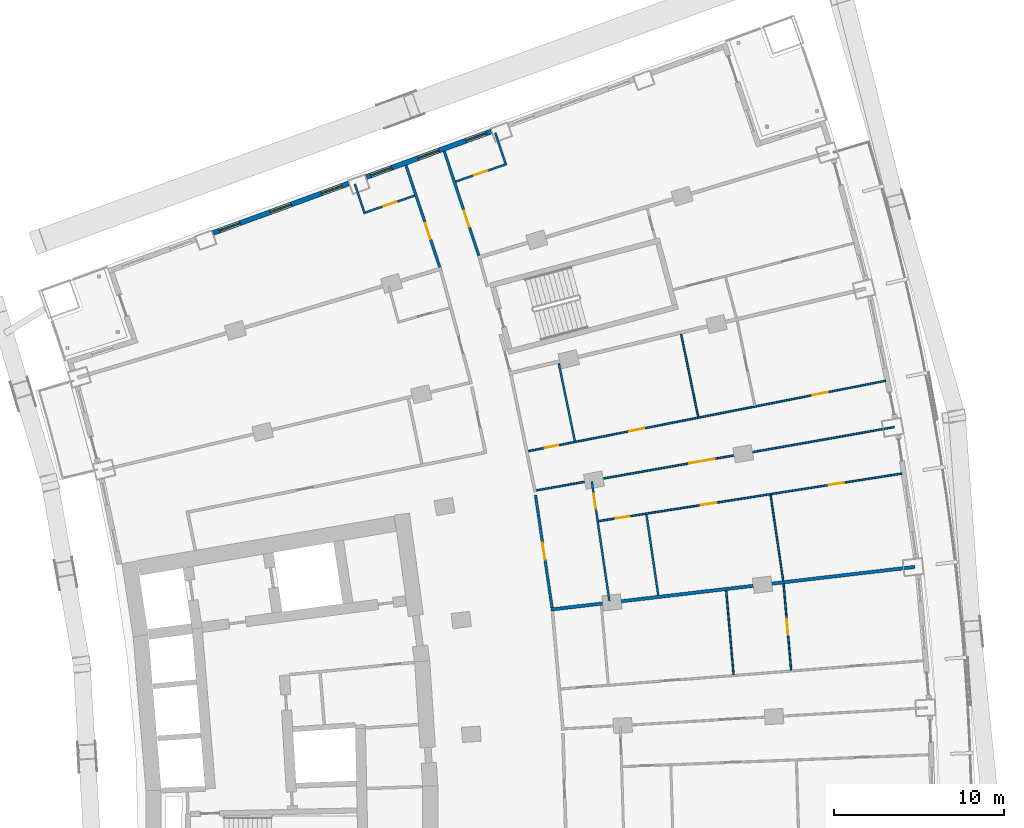
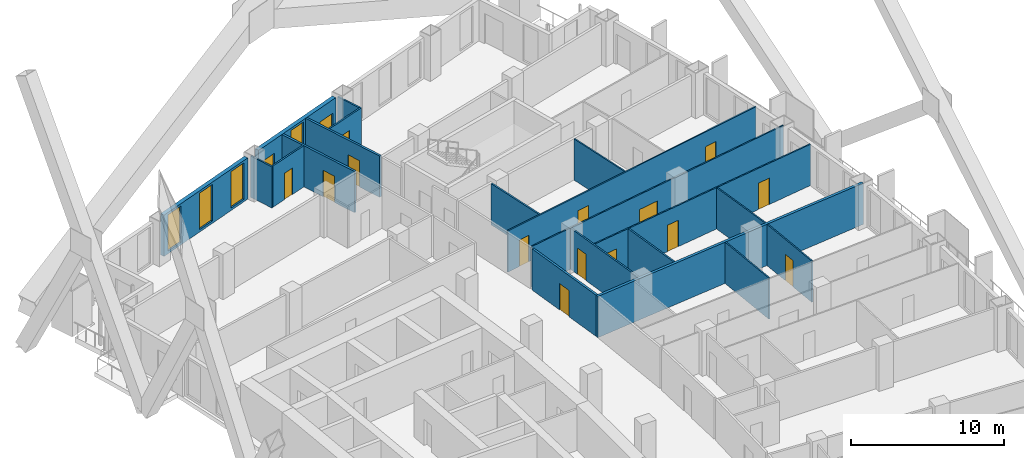
# One storey, part 18 of 23: 20 walls, 14 doors, 6 windows, 20 openings.
"""IFC4 building model written with IfcOpenShell, lengths in metres."""

from ifc_helpers import new_model, si_unit, direction, frame, frame_2d, origin, place, context, subcontext, project, spatial, rectangle, extrude, material, layer, layer_set, type_object, element, fill, save


model = new_model("IFC4")

# Units and contexts
model_context = context("Model", 3, precision=1e-05, world=origin(), true_north=direction((0.0, 1.0)))
body_context = subcontext(model_context, "Body", "Model", "MODEL_VIEW")
ifc_project = project(units=[si_unit("LENGTHUNIT", "METRE"), si_unit("AREAUNIT", "SQUARE_METRE"), si_unit("VOLUMEUNIT", "CUBIC_METRE"), si_unit("PLANEANGLEUNIT", "RADIAN"), si_unit("MASSUNIT", "GRAM", prefix="KILO")], contexts=[model_context])

# Site, building, storey
site_placement = place(None, origin())
site = spatial("IfcSite", under=ifc_project, at=site_placement, CompositionType="ELEMENT")
building_placement = place(site_placement, origin())
building = spatial("IfcBuilding", under=site, at=building_placement, Name="Alderwake Tower", CompositionType="ELEMENT")
storey_placement = place(building_placement, frame((0.0, 0.0, 53.60009765625)))
storey = spatial("IfcBuildingStorey", under=building, at=storey_placement, Name="L12", CompositionType="ELEMENT", Elevation=53.60009765625)

# Wall, opening, door
ifc_material_1 = material(Name="Gypsum board on metal studs, rated")
ifc_layer_1 = layer(ifc_material_1, 0.159912109375)
ifc_layer_set_1 = layer_set([ifc_layer_1], Name="Corridor wall 160")
wall_type_1 = type_object("IfcWallType", Name="Corridor wall 160", PredefinedType="PARTITIONING", material=ifc_layer_set_1)
wall_1_placement = place(storey_placement, frame((33.75146484375, 95.2548828125, 0.0), z_axis=(0.0, 0.0, 1.0), x_axis=(-0.315406156735, 0.948956772616, 0.0)))
wall_1 = element("IfcWall", 1, at=wall_1_placement, inside=storey, type_object=wall_type_1, Name="WL/L12/W17", PredefinedType="PARTITIONING", context=body_context, shape_type="SweptSolid", body=[
    extrude(rectangle(XDim=6.330078125, YDim=0.159912109375, at=frame_2d((3.1650390625, 0.0))), origin(), (0.0, 0.0, 1.0), 3.27978515625),
])
opening_1_placement = place(wall_1_placement, frame((1.737060546875, 0.0, 0.0)))
opening_1 = element("IfcOpeningElement", 2, at=opening_1_placement, cuts=wall_1, Name="Opening R03-U12.1", PredefinedType="OPENING", context=body_context, shape_type="SweptSolid", body=[
    extrude(rectangle(XDim=1.0, YDim=2.10009765625, at=frame_2d((0.5, 1.050048828125))), frame((0.0, 0.08984375, 0.0), z_axis=(0.0, -1.0, 0.0), x_axis=(1.0, 0.0, 0.0)), (0.0, 0.0, 1.0), 0.179931640625),
])
ifc_material_2 = material(Name="Solid timber leaf in steel frame", Category="steel")
door_type_1 = type_object("IfcDoorType", Name="Flat entrance door 1000 fire-rated", OperationType="SINGLE_SWING_LEFT", PredefinedType="DOOR", material=ifc_material_2)
door_1_placement = place(opening_1_placement, origin())
door_1 = element("IfcDoor", 3, at=door_1_placement, inside=storey, type_object=door_type_1, Name="DR/L12/U12.1", OperationType="SINGLE_SWING_LEFT", OverallHeight=2.10009765625, OverallWidth=1.0, PredefinedType="DOOR", context=body_context, shape_type="SweptSolid", body=[
    extrude(rectangle(XDim=1.0, YDim=2.10009765625, at=frame_2d((0.5, 1.050048828125))), frame((0.0, 0.02490234375, 0.0), z_axis=(0.0, -1.0, 0.0), x_axis=(1.0, 0.0, 0.0)), (0.0, 0.0, 1.0), 0.050048828125),
])
fill(opening_1, door_1)

wall_2_placement = place(storey_placement, frame((34.010986328125, 102.083984375, 0.0), z_axis=(0.0, 0.0, 1.0), x_axis=(0.315140606423, -0.949044992708, 0.0)))
wall_2 = element("IfcWall", 4, at=wall_2_placement, inside=storey, type_object=wall_type_1, Name="WL/L12/W25", PredefinedType="PARTITIONING", context=body_context, shape_type="SweptSolid", body=[
    extrude(rectangle(XDim=6.46875, YDim=0.159912109375, at=frame_2d((3.234375, 0.0))), origin(), (0.0, 0.0, 1.0), 3.27978515625),
])
opening_2_placement = place(wall_2_placement, frame((3.685546875, 0.0, 0.0)))
opening_2 = element("IfcOpeningElement", 5, at=opening_2_placement, cuts=wall_2, Name="Opening R03-U04.1", PredefinedType="OPENING", context=body_context, shape_type="SweptSolid", body=[
    extrude(rectangle(XDim=1.0, YDim=2.10009765625, at=frame_2d((0.5, 1.050048828125))), frame((0.0, 0.08984375, 0.0), z_axis=(0.0, -1.0, 0.0), x_axis=(1.0, 0.0, 0.0)), (0.0, 0.0, 1.0), 0.179931640625),
])
door_2_placement = place(opening_2_placement, origin())
door_2 = element("IfcDoor", 6, at=door_2_placement, inside=storey, type_object=door_type_1, Name="DR/L12/U04.1", OperationType="SINGLE_SWING_LEFT", OverallHeight=2.10009765625, OverallWidth=1.0, PredefinedType="DOOR", context=body_context, shape_type="SweptSolid", body=[
    extrude(rectangle(XDim=1.0, YDim=2.10009765625, at=frame_2d((0.5, 1.050048828125))), frame((0.0, 0.02490234375, 0.0), z_axis=(0.0, -1.0, 0.0), x_axis=(1.0, 0.0, 0.0)), (0.0, 0.0, 1.0), 0.050048828125),
])
fill(opening_2, door_2)

wall_3_placement = place(storey_placement, frame((39.38671875, 81.837158203125, 0.0), z_axis=(0.0, 0.0, 1.0), x_axis=(0.145576845789, -0.989346947218, 0.0)))
wall_3 = element("IfcWall", 7, at=wall_3_placement, inside=storey, type_object=wall_type_1, Name="WL/L12/W35", PredefinedType="PARTITIONING", context=body_context, shape_type="SweptSolid", body=[
    extrude(rectangle(XDim=6.701416015625, YDim=0.159912109375, at=frame_2d((3.3505859375, 0.0))), origin(), (0.0, 0.0, 1.0), 3.27978515625),
])
opening_3_placement = place(wall_3_placement, frame((2.850830078125, 0.0, 0.0)))
opening_3 = element("IfcOpeningElement", 8, at=opening_3_placement, cuts=wall_3, Name="Opening R03-U08.2", PredefinedType="OPENING", context=body_context, shape_type="SweptSolid", body=[
    extrude(rectangle(XDim=1.0, YDim=2.10009765625, at=frame_2d((0.5, 1.050048828125))), frame((0.0, 0.08984375, 0.0), z_axis=(0.0, -1.0, 0.0), x_axis=(1.0, 0.0, 0.0)), (0.0, 0.0, 1.0), 0.179931640625),
])
door_3_placement = place(opening_3_placement, origin())
door_3 = element("IfcDoor", 9, at=door_3_placement, inside=storey, type_object=door_type_1, Name="DR/L12/U08.2", OperationType="SINGLE_SWING_LEFT", OverallHeight=2.10009765625, OverallWidth=1.0, PredefinedType="DOOR", context=body_context, shape_type="SweptSolid", body=[
    extrude(rectangle(XDim=1.0, YDim=2.10009765625, at=frame_2d((0.5, 1.050048828125))), frame((0.0, 0.02490234375, 0.0), z_axis=(0.0, -1.0, 0.0), x_axis=(1.0, 0.0, 0.0)), (0.0, 0.0, 1.0), 0.050048828125),
])
fill(opening_3, door_3)

# Wall, openings, windows
ifc_material_3 = material(Name="Bronze metal cladding on lightweight framing")
ifc_layer_2 = layer(ifc_material_3, 0.300048828125)
ifc_layer_set_2 = layer_set([ifc_layer_2], Name="External wall EW2 bronze metal cladding")
wall_type_2 = type_object("IfcWallType", Name="External wall EW2 bronze metal cladding", PredefinedType="SOLIDWALL", material=ifc_layer_set_2)
wall_4_placement = place(storey_placement, frame((36.77099609375, 103.252197265625, 0.0), z_axis=(0.0, 0.0, 1.0), x_axis=(-0.939370235271, -0.34290459473, 0.0)))
wall_4 = element("IfcWall", 10, at=wall_4_placement, inside=storey, type_object=wall_type_2, Name="External wall 27", PredefinedType="SOLIDWALL", context=body_context, shape_type="SweptSolid", body=[
    extrude(rectangle(XDim=7.828857421875, YDim=0.300048828125, at=frame_2d((3.91455078125, 0.0))), origin(), (0.0, 0.0, 1.0), 3.27978515625),
])
opening_4_placement = place(wall_4_placement, frame((0.28662109375, 0.0, 1.0)))
opening_4 = element("IfcOpeningElement", 11, at=opening_4_placement, cuts=wall_4, Name="Opening W2", PredefinedType="OPENING", context=body_context, shape_type="SweptSolid", body=[
    extrude(rectangle(XDim=1.300048828125, YDim=1.199951171875, at=frame_2d((0.64990234375, 0.60009765625))), frame((0.0, 0.159912109375, 0.0), z_axis=(0.0, -1.0, 0.0), x_axis=(1.0, 0.0, 0.0)), (0.0, 0.0, 1.0), 0.320068359375),
])
opening_5_placement = place(wall_4_placement, frame((3.2646484375, 0.0, 0.199951171875)))
opening_5 = element("IfcOpeningElement", 12, at=opening_5_placement, cuts=wall_4, Name="Opening W1", PredefinedType="OPENING", context=body_context, shape_type="SweptSolid", body=[
    extrude(rectangle(XDim=1.300048828125, YDim=2.89990234375, at=frame_2d((0.64990234375, 1.449951171875))), frame((0.0, 0.159912109375, 0.0), z_axis=(0.0, -1.0, 0.0), x_axis=(1.0, 0.0, 0.0)), (0.0, 0.0, 1.0), 0.320068359375),
])
opening_6_placement = place(wall_4_placement, frame((6.242431640625, 0.0, 1.0)))
opening_6 = element("IfcOpeningElement", 13, at=opening_6_placement, cuts=wall_4, Name="Opening W2", PredefinedType="OPENING", context=body_context, shape_type="SweptSolid", body=[
    extrude(rectangle(XDim=1.300048828125, YDim=1.199951171875, at=frame_2d((0.64990234375, 0.60009765625))), frame((0.0, 0.159912109375, 0.0), z_axis=(0.0, -1.0, 0.0), x_axis=(1.0, 0.0, 0.0)), (0.0, 0.0, 1.0), 0.320068359375),
])
ifc_material_4 = material(Name="Bronze tinted glass in aluminium frame", Category="aluminium")
window_type_1 = type_object("IfcWindowType", Name="Window W1 tall fixed and vent", PartitioningType="DOUBLE_PANEL_VERTICAL", PredefinedType="WINDOW", material=ifc_material_4)
window_1_placement = place(opening_5_placement, origin())
window_1 = element("IfcWindow", 14, at=window_1_placement, inside=storey, type_object=window_type_1, Name="Window W1 tall fixed and vent", OverallHeight=2.89990234375, OverallWidth=1.300048828125, PartitioningType="DOUBLE_PANEL_VERTICAL", PredefinedType="WINDOW", context=body_context, shape_type="SweptSolid", body=[
    extrude(rectangle(XDim=1.300048828125, YDim=2.89990234375, at=frame_2d((0.64990234375, 1.449951171875))), frame((0.0, 0.030029296875, 0.0), z_axis=(0.0, -1.0, 0.0), x_axis=(1.0, 0.0, 0.0)), (0.0, 0.0, 1.0), 0.06005859375),
])
fill(opening_5, window_1)
ifc_material_5 = material(Name="Bronze tinted glass in aluminium frame", Category="aluminium")
window_type_2 = type_object("IfcWindowType", Name="Window W2 kitchen and bath", PartitioningType="SINGLE_PANEL", PredefinedType="WINDOW", material=ifc_material_5)
window_2_placement = place(opening_4_placement, origin())
window_2 = element("IfcWindow", 15, at=window_2_placement, inside=storey, type_object=window_type_2, Name="Window W2 kitchen and bath", OverallHeight=1.199951171875, OverallWidth=1.300048828125, PartitioningType="SINGLE_PANEL", PredefinedType="WINDOW", context=body_context, shape_type="SweptSolid", body=[
    extrude(rectangle(XDim=1.300048828125, YDim=1.199951171875, at=frame_2d((0.64990234375, 0.60009765625))), frame((0.0, 0.030029296875, 0.0), z_axis=(0.0, -1.0, 0.0), x_axis=(1.0, 0.0, 0.0)), (0.0, 0.0, 1.0), 0.06005859375),
])
fill(opening_4, window_2)
window_3_placement = place(opening_6_placement, origin())
window_3 = element("IfcWindow", 16, at=window_3_placement, inside=storey, type_object=window_type_2, Name="Window W2 kitchen and bath", OverallHeight=1.199951171875, OverallWidth=1.300048828125, PartitioningType="SINGLE_PANEL", PredefinedType="WINDOW", context=body_context, shape_type="SweptSolid", body=[
    extrude(rectangle(XDim=1.300048828125, YDim=1.199951171875, at=frame_2d((0.64990234375, 0.60009765625))), frame((0.0, 0.030029296875, 0.0), z_axis=(0.0, -1.0, 0.0), x_axis=(1.0, 0.0, 0.0)), (0.0, 0.0, 1.0), 0.06005859375),
])
fill(opening_6, window_3)

wall_5_placement = place(storey_placement, frame((28.37890625, 100.188720703125, 0.0), z_axis=(0.0, 0.0, 1.0), x_axis=(-0.939379066762, -0.342880400328, 0.0)))
wall_5 = element("IfcWall", 17, at=wall_5_placement, inside=storey, type_object=wall_type_2, Name="External wall 28", PredefinedType="SOLIDWALL", context=body_context, shape_type="SweptSolid", body=[
    extrude(rectangle(XDim=8.4951171875, YDim=0.300048828125, at=frame_2d((4.24755859375, 0.0))), origin(), (0.0, 0.0, 1.0), 3.27978515625),
])
opening_7_placement = place(wall_5_placement, frame((0.397705078125, 0.0, 0.199951171875)))
opening_7 = element("IfcOpeningElement", 18, at=opening_7_placement, cuts=wall_5, Name="Opening W1", PredefinedType="OPENING", context=body_context, shape_type="SweptSolid", body=[
    extrude(rectangle(XDim=1.300048828125, YDim=2.89990234375, at=frame_2d((0.64990234375, 1.449951171875))), frame((0.0, 0.159912109375, 0.0), z_axis=(0.0, -1.0, 0.0), x_axis=(1.0, 0.0, 0.0)), (0.0, 0.0, 1.0), 0.320068359375),
])
opening_8_placement = place(wall_5_placement, frame((3.59765625, 0.0, 0.199951171875)))
opening_8 = element("IfcOpeningElement", 19, at=opening_8_placement, cuts=wall_5, Name="Opening W1", PredefinedType="OPENING", context=body_context, shape_type="SweptSolid", body=[
    extrude(rectangle(XDim=1.300048828125, YDim=2.89990234375, at=frame_2d((0.64990234375, 1.449951171875))), frame((0.0, 0.159912109375, 0.0), z_axis=(0.0, -1.0, 0.0), x_axis=(1.0, 0.0, 0.0)), (0.0, 0.0, 1.0), 0.320068359375),
])
opening_9_placement = place(wall_5_placement, frame((6.7978515625, 0.0, 0.199951171875)))
opening_9 = element("IfcOpeningElement", 20, at=opening_9_placement, cuts=wall_5, Name="Opening W1", PredefinedType="OPENING", context=body_context, shape_type="SweptSolid", body=[
    extrude(rectangle(XDim=1.300048828125, YDim=2.89990234375, at=frame_2d((0.64990234375, 1.449951171875))), frame((0.0, 0.159912109375, 0.0), z_axis=(0.0, -1.0, 0.0), x_axis=(1.0, 0.0, 0.0)), (0.0, 0.0, 1.0), 0.320068359375),
])
window_4_placement = place(opening_7_placement, origin())
window_4 = element("IfcWindow", 21, at=window_4_placement, inside=storey, type_object=window_type_1, Name="Window W1 tall fixed and vent", OverallHeight=2.89990234375, OverallWidth=1.300048828125, PartitioningType="DOUBLE_PANEL_VERTICAL", PredefinedType="WINDOW", context=body_context, shape_type="SweptSolid", body=[
    extrude(rectangle(XDim=1.300048828125, YDim=2.89990234375, at=frame_2d((0.64990234375, 1.449951171875))), frame((0.0, 0.030029296875, 0.0), z_axis=(0.0, -1.0, 0.0), x_axis=(1.0, 0.0, 0.0)), (0.0, 0.0, 1.0), 0.06005859375),
])
fill(opening_7, window_4)
window_5_placement = place(opening_8_placement, origin())
window_5 = element("IfcWindow", 22, at=window_5_placement, inside=storey, type_object=window_type_1, Name="Window W1 tall fixed and vent", OverallHeight=2.89990234375, OverallWidth=1.300048828125, PartitioningType="DOUBLE_PANEL_VERTICAL", PredefinedType="WINDOW", context=body_context, shape_type="SweptSolid", body=[
    extrude(rectangle(XDim=1.300048828125, YDim=2.89990234375, at=frame_2d((0.64990234375, 1.449951171875))), frame((0.0, 0.030029296875, 0.0), z_axis=(0.0, -1.0, 0.0), x_axis=(1.0, 0.0, 0.0)), (0.0, 0.0, 1.0), 0.06005859375),
])
fill(opening_8, window_5)
window_6_placement = place(opening_9_placement, origin())
window_6 = element("IfcWindow", 23, at=window_6_placement, inside=storey, type_object=window_type_1, Name="Window W1 tall fixed and vent", OverallHeight=2.89990234375, OverallWidth=1.300048828125, PartitioningType="DOUBLE_PANEL_VERTICAL", PredefinedType="WINDOW", context=body_context, shape_type="SweptSolid", body=[
    extrude(rectangle(XDim=1.300048828125, YDim=2.89990234375, at=frame_2d((0.64990234375, 1.449951171875))), frame((0.0, 0.030029296875, 0.0), z_axis=(0.0, -1.0, 0.0), x_axis=(1.0, 0.0, 0.0)), (0.0, 0.0, 1.0), 0.06005859375),
])
fill(opening_9, window_6)

# Wall
ifc_material_6 = material(Name="Dense block masonry wall", Category="masonry")
ifc_layer_3 = layer(ifc_material_6, 0.199951171875)
ifc_layer_set_3 = layer_set([ifc_layer_3], Name="Party wall 200")
wall_type_3 = type_object("IfcWallType", Name="Party wall 200", PredefinedType="SOLIDWALL", material=ifc_layer_set_3)
wall_6_placement = place(storey_placement, frame((40.297607421875, 75.0986328125, 0.0), z_axis=(0.0, 0.0, 1.0), x_axis=(0.993204785453, 0.116379784123, 0.0)))
element("IfcWall", 24, at=wall_6_placement, inside=storey, type_object=wall_type_3, Name="WL/L12/W07", PredefinedType="SOLIDWALL", context=body_context, shape_type="SweptSolid", body=[
    extrude(rectangle(XDim=21.580078125, YDim=0.199951171875, at=frame_2d((10.7900390625, 0.0))), origin(), (0.0, 0.0, 1.0), 3.27978515625),
])

# Wall, openings, doors
ifc_material_7 = material(Name="Gypsum board on metal studs")
ifc_layer_4 = layer(ifc_material_7, 0.10009765625)
ifc_layer_set_4 = layer_set([ifc_layer_4], Name="Unit partition 100")
wall_type_4 = type_object("IfcWallType", Name="Unit partition 100", PredefinedType="PARTITIONING", material=ifc_layer_set_4)
wall_7_placement = place(storey_placement, frame((38.949462890625, 84.423583984375, 0.0), z_axis=(0.0, 0.0, 1.0), x_axis=(0.981145266599, 0.1932717409, 0.0)))
wall_7 = element("IfcWall", 25, at=wall_7_placement, inside=storey, type_object=wall_type_4, Name="WL/L12/W67", PredefinedType="PARTITIONING", context=body_context, shape_type="SweptSolid", body=[
    extrude(rectangle(XDim=21.46435546875, YDim=0.10009765625, at=frame_2d((10.732177734375, 0.0))), origin(), (0.0, 0.0, 1.0), 3.27978515625),
])
opening_10_placement = place(wall_7_placement, frame((6.070556640625, 0.0, 0.0)))
opening_10 = element("IfcOpeningElement", 26, at=opening_10_placement, cuts=wall_7, Name="Opening R03-U08.6", PredefinedType="OPENING", context=body_context, shape_type="SweptSolid", body=[
    extrude(rectangle(XDim=0.89990234375, YDim=2.10009765625, at=frame_2d((0.449951171875, 1.050048828125))), frame((0.0, 0.06005859375, 0.0), z_axis=(0.0, -1.0, 0.0), x_axis=(1.0, 0.0, 0.0)), (0.0, 0.0, 1.0), 0.1201171875),
])
opening_11_placement = place(wall_7_placement, frame((1.009521484375, 0.0, 0.0)))
opening_11 = element("IfcOpeningElement", 27, at=opening_11_placement, cuts=wall_7, Name="Opening R03-U08.7", PredefinedType="OPENING", context=body_context, shape_type="SweptSolid", body=[
    extrude(rectangle(XDim=0.800048828125, YDim=2.10009765625, at=frame_2d((0.39990234375, 1.050048828125))), frame((0.0, 0.06005859375, 0.0), z_axis=(0.0, -1.0, 0.0), x_axis=(1.0, 0.0, 0.0)), (0.0, 0.0, 1.0), 0.1201171875),
])
opening_12_placement = place(wall_7_placement, frame((17.09130859375, 0.0, 0.0)))
opening_12 = element("IfcOpeningElement", 28, at=opening_12_placement, cuts=wall_7, Name="Opening R03-U08.8", PredefinedType="OPENING", context=body_context, shape_type="SweptSolid", body=[
    extrude(rectangle(XDim=0.89990234375, YDim=2.10009765625, at=frame_2d((0.449951171875, 1.050048828125))), frame((0.0, 0.06005859375, 0.0), z_axis=(0.0, -1.0, 0.0), x_axis=(1.0, 0.0, 0.0)), (0.0, 0.0, 1.0), 0.1201171875),
])
ifc_material_8 = material(Name="Painted timber leaf", Category="wood")
door_type_2 = type_object("IfcDoorType", Name="Bathroom door 800", OperationType="SINGLE_SWING_LEFT", PredefinedType="DOOR", material=ifc_material_8)
door_4_placement = place(opening_11_placement, origin())
door_4 = element("IfcDoor", 29, at=door_4_placement, inside=storey, type_object=door_type_2, Name="DR/L12/U08.7", OperationType="SINGLE_SWING_LEFT", OverallHeight=2.10009765625, OverallWidth=0.800048828125, PredefinedType="DOOR", context=body_context, shape_type="SweptSolid", body=[
    extrude(rectangle(XDim=0.800048828125, YDim=2.10009765625, at=frame_2d((0.39990234375, 1.050048828125))), frame((0.0, 0.02490234375, 0.0), z_axis=(0.0, -1.0, 0.0), x_axis=(1.0, 0.0, 0.0)), (0.0, 0.0, 1.0), 0.050048828125),
])
fill(opening_11, door_4)
ifc_material_9 = material(Name="Painted timber leaf", Category="wood")
door_type_3 = type_object("IfcDoorType", Name="Room door 900", OperationType="SINGLE_SWING_LEFT", PredefinedType="DOOR", material=ifc_material_9)
door_5_placement = place(opening_10_placement, origin())
door_5 = element("IfcDoor", 30, at=door_5_placement, inside=storey, type_object=door_type_3, Name="DR/L12/U08.6", OperationType="SINGLE_SWING_LEFT", OverallHeight=2.10009765625, OverallWidth=0.89990234375, PredefinedType="DOOR", context=body_context, shape_type="SweptSolid", body=[
    extrude(rectangle(XDim=0.89990234375, YDim=2.10009765625, at=frame_2d((0.449951171875, 1.050048828125))), frame((0.0, 0.02490234375, 0.0), z_axis=(0.0, -1.0, 0.0), x_axis=(1.0, 0.0, 0.0)), (0.0, 0.0, 1.0), 0.050048828125),
])
fill(opening_10, door_5)
door_6_placement = place(opening_12_placement, origin())
door_6 = element("IfcDoor", 31, at=door_6_placement, inside=storey, type_object=door_type_3, Name="DR/L12/U08.8", OperationType="SINGLE_SWING_LEFT", OverallHeight=2.10009765625, OverallWidth=0.89990234375, PredefinedType="DOOR", context=body_context, shape_type="SweptSolid", body=[
    extrude(rectangle(XDim=0.89990234375, YDim=2.10009765625, at=frame_2d((0.449951171875, 1.050048828125))), frame((0.0, 0.02490234375, 0.0), z_axis=(0.0, -1.0, 0.0), x_axis=(1.0, 0.0, 0.0)), (0.0, 0.0, 1.0), 0.050048828125),
])
fill(opening_12, door_6)

# Wall, opening, door
wall_8_placement = place(storey_placement, frame((39.4267578125, 82.114990234375, 0.0), z_axis=(0.0, 0.0, 1.0), x_axis=(0.984721073887, 0.174139043994, 0.0)))
wall_8 = element("IfcWall", 32, at=wall_8_placement, inside=storey, type_object=wall_type_4, Name="WL/L12/W68", PredefinedType="PARTITIONING", context=body_context, shape_type="SweptSolid", body=[
    extrude(rectangle(XDim=21.41943359375, YDim=0.10009765625, at=frame_2d((10.709716796875, 0.0))), origin(), (0.0, 0.0, 1.0), 3.27978515625),
])
opening_13_placement = place(wall_8_placement, frame((9.166259765625, 0.0, 0.0)))
opening_13 = element("IfcOpeningElement", 33, at=opening_13_placement, cuts=wall_8, Name="Opening R03-U08.10", PredefinedType="OPENING", context=body_context, shape_type="SweptSolid", body=[
    extrude(rectangle(XDim=1.5, YDim=2.10009765625, at=frame_2d((0.75, 1.050048828125))), frame((0.0, 0.06005859375, 0.0), z_axis=(0.0, -1.0, 0.0), x_axis=(1.0, 0.0, 0.0)), (0.0, 0.0, 1.0), 0.1201171875),
])
ifc_material_10 = material(Name="Painted timber leaves", Category="wood")
door_type_4 = type_object("IfcDoorType", Name="Double leaf door 1500", OperationType="DOUBLE_DOOR_SINGLE_SWING", PredefinedType="DOOR", material=ifc_material_10)
door_7_placement = place(opening_13_placement, origin())
door_7 = element("IfcDoor", 34, at=door_7_placement, inside=storey, type_object=door_type_4, Name="DR/L12/U08.10", OperationType="DOUBLE_DOOR_SINGLE_SWING", OverallHeight=2.10009765625, OverallWidth=1.5, PredefinedType="DOOR", context=body_context, shape_type="SweptSolid", body=[
    extrude(rectangle(XDim=1.5, YDim=2.10009765625, at=frame_2d((0.75, 1.050048828125))), frame((0.0, 0.02490234375, 0.0), z_axis=(0.0, -1.0, 0.0), x_axis=(1.0, 0.0, 0.0)), (0.0, 0.0, 1.0), 0.050048828125),
])
fill(opening_13, door_7)

# Wall, openings, doors
wall_9_placement = place(storey_placement, frame((60.97509765625, 83.10888671875, 0.0), z_axis=(0.0, 0.0, 1.0), x_axis=(-0.987927589792, -0.154916355911, 0.0)))
wall_9 = element("IfcWall", 35, at=wall_9_placement, inside=storey, type_object=wall_type_4, Name="WL/L12/W72", PredefinedType="PARTITIONING", context=body_context, shape_type="SweptSolid", body=[
    extrude(rectangle(XDim=18.083984375, YDim=0.10009765625, at=frame_2d((9.0419921875, 0.0))), origin(), (0.0, 0.0, 1.0), 3.27978515625),
])
opening_14_placement = place(wall_9_placement, frame((11.094970703125, 0.0, 0.0)))
opening_14 = element("IfcOpeningElement", 36, at=opening_14_placement, cuts=wall_9, Name="Opening R03-U08.1", PredefinedType="OPENING", context=body_context, shape_type="SweptSolid", body=[
    extrude(rectangle(XDim=0.89990234375, YDim=2.10009765625, at=frame_2d((0.449951171875, 1.050048828125))), frame((0.0, 0.06005859375, 0.0), z_axis=(0.0, -1.0, 0.0), x_axis=(1.0, 0.0, 0.0)), (0.0, 0.0, 1.0), 0.1201171875),
])
opening_15_placement = place(wall_9_placement, frame((16.26513671875, 0.0, 0.0)))
opening_15 = element("IfcOpeningElement", 37, at=opening_15_placement, cuts=wall_9, Name="Opening R03-U08.4", PredefinedType="OPENING", context=body_context, shape_type="SweptSolid", body=[
    extrude(rectangle(XDim=0.800048828125, YDim=2.10009765625, at=frame_2d((0.39990234375, 1.050048828125))), frame((0.0, 0.06005859375, 0.0), z_axis=(0.0, -1.0, 0.0), x_axis=(1.0, 0.0, 0.0)), (0.0, 0.0, 1.0), 0.1201171875),
])
opening_16_placement = place(wall_9_placement, frame((3.47265625, 0.0, 0.0)))
opening_16 = element("IfcOpeningElement", 38, at=opening_16_placement, cuts=wall_9, Name="Opening R03-U08.5", PredefinedType="OPENING", context=body_context, shape_type="SweptSolid", body=[
    extrude(rectangle(XDim=0.89990234375, YDim=2.10009765625, at=frame_2d((0.449951171875, 1.050048828125))), frame((0.0, 0.06005859375, 0.0), z_axis=(0.0, -1.0, 0.0), x_axis=(1.0, 0.0, 0.0)), (0.0, 0.0, 1.0), 0.1201171875),
])
door_8_placement = place(opening_15_placement, origin())
door_8 = element("IfcDoor", 39, at=door_8_placement, inside=storey, type_object=door_type_2, Name="DR/L12/U08.4", OperationType="SINGLE_SWING_LEFT", OverallHeight=2.10009765625, OverallWidth=0.800048828125, PredefinedType="DOOR", context=body_context, shape_type="SweptSolid", body=[
    extrude(rectangle(XDim=0.800048828125, YDim=2.10009765625, at=frame_2d((0.39990234375, 1.050048828125))), frame((0.0, 0.02490234375, 0.0), z_axis=(0.0, -1.0, 0.0), x_axis=(1.0, 0.0, 0.0)), (0.0, 0.0, 1.0), 0.050048828125),
])
fill(opening_15, door_8)
door_9_placement = place(opening_14_placement, origin())
door_9 = element("IfcDoor", 40, at=door_9_placement, inside=storey, type_object=door_type_3, Name="DR/L12/U08.1", OperationType="SINGLE_SWING_LEFT", OverallHeight=2.10009765625, OverallWidth=0.89990234375, PredefinedType="DOOR", context=body_context, shape_type="SweptSolid", body=[
    extrude(rectangle(XDim=0.89990234375, YDim=2.10009765625, at=frame_2d((0.449951171875, 1.050048828125))), frame((0.0, 0.02490234375, 0.0), z_axis=(0.0, -1.0, 0.0), x_axis=(1.0, 0.0, 0.0)), (0.0, 0.0, 1.0), 0.050048828125),
])
fill(opening_14, door_9)
door_10_placement = place(opening_16_placement, origin())
door_10 = element("IfcDoor", 41, at=door_10_placement, inside=storey, type_object=door_type_3, Name="DR/L12/U08.5", OperationType="SINGLE_SWING_LEFT", OverallHeight=2.10009765625, OverallWidth=0.89990234375, PredefinedType="DOOR", context=body_context, shape_type="SweptSolid", body=[
    extrude(rectangle(XDim=0.89990234375, YDim=2.10009765625, at=frame_2d((0.449951171875, 1.050048828125))), frame((0.0, 0.02490234375, 0.0), z_axis=(0.0, -1.0, 0.0), x_axis=(1.0, 0.0, 0.0)), (0.0, 0.0, 1.0), 0.050048828125),
])
fill(opening_16, door_10)

# Walls
wall_10_placement = place(storey_placement, frame((48.968017578125, 86.448974609375, 0.0), z_axis=(0.0, 0.0, 1.0), x_axis=(-0.202431544222, 0.979296415752, 0.0)))
element("IfcWall", 42, at=wall_10_placement, inside=storey, type_object=wall_type_4, Name="WL/L12/W78", PredefinedType="PARTITIONING", context=body_context, shape_type="SweptSolid", body=[
    extrude(rectangle(XDim=4.962890625, YDim=0.10009765625, at=frame_2d((2.4814453125, 0.0))), origin(), (0.0, 0.0, 1.0), 3.27978515625),
])
wall_11_placement = place(storey_placement, frame((51.052490234375, 71.263916015625, 0.0), z_axis=(0.0, 0.0, 1.0), x_axis=(-0.087408582497, 0.996172545148, 0.0)))
element("IfcWall", 43, at=wall_11_placement, inside=storey, type_object=wall_type_4, Name="WL/L12/W81", PredefinedType="PARTITIONING", context=body_context, shape_type="SweptSolid", body=[
    extrude(rectangle(XDim=4.96337890625, YDim=0.10009765625, at=frame_2d((2.481689453125, 0.0))), origin(), (0.0, 0.0, 1.0), 3.27978515625),
])
wall_12_placement = place(storey_placement, frame((53.973388671875, 76.802978515625, 0.0), z_axis=(0.0, 0.0, 1.0), x_axis=(-0.145223628797, 0.9893988567, 0.0)))
element("IfcWall", 44, at=wall_12_placement, inside=storey, type_object=wall_type_4, Name="WL/L12/W87", PredefinedType="PARTITIONING", context=body_context, shape_type="SweptSolid", body=[
    extrude(rectangle(XDim=5.095458984375, YDim=0.10009765625, at=frame_2d((2.5478515625, 0.0))), origin(), (0.0, 0.0, 1.0), 3.27978515625),
])

# Wall, opening, door
wall_13_placement = place(storey_placement, frame((54.442626953125, 71.52783203125, 0.0), z_axis=(0.0, 0.0, 1.0), x_axis=(-0.087481335353, 0.996166158813, 0.0)))
wall_13 = element("IfcWall", 45, at=wall_13_placement, inside=storey, type_object=wall_type_4, Name="WL/L12/W88", PredefinedType="PARTITIONING", context=body_context, shape_type="SweptSolid", body=[
    extrude(rectangle(XDim=5.095947265625, YDim=0.10009765625, at=frame_2d((2.5478515625, 0.0))), origin(), (0.0, 0.0, 1.0), 3.27978515625),
])
opening_17_placement = place(wall_13_placement, frame((2.097900390625, 0.0, 0.0)))
opening_17 = element("IfcOpeningElement", 46, at=opening_17_placement, cuts=wall_13, Name="Opening R03-U07.9", PredefinedType="OPENING", context=body_context, shape_type="SweptSolid", body=[
    extrude(rectangle(XDim=0.89990234375, YDim=2.10009765625, at=frame_2d((0.449951171875, 1.050048828125))), frame((0.0, 0.06005859375, 0.0), z_axis=(0.0, -1.0, 0.0), x_axis=(1.0, 0.0, 0.0)), (0.0, 0.0, 1.0), 0.1201171875),
])
door_11_placement = place(opening_17_placement, origin())
door_11 = element("IfcDoor", 47, at=door_11_placement, inside=storey, type_object=door_type_3, Name="DR/L12/U07.9", OperationType="SINGLE_SWING_LEFT", OverallHeight=2.10009765625, OverallWidth=0.89990234375, PredefinedType="DOOR", context=body_context, shape_type="SweptSolid", body=[
    extrude(rectangle(XDim=0.89990234375, YDim=2.10009765625, at=frame_2d((0.449951171875, 1.050048828125))), frame((0.0, 0.02490234375, 0.0), z_axis=(0.0, -1.0, 0.0), x_axis=(1.0, 0.0, 0.0)), (0.0, 0.0, 1.0), 0.050048828125),
])
fill(opening_17, door_11)

# Wall
ifc_material_11 = material(Name="Moisture resistant gypsum board on metal studs")
ifc_layer_5 = layer(ifc_material_11, 0.1201171875)
ifc_layer_set_5 = layer_set([ifc_layer_5], Name="Wet room partition 120")
wall_type_5 = type_object("IfcWallType", Name="Wet room partition 120", PredefinedType="PARTITIONING", material=ifc_layer_set_5)
wall_14_placement = place(storey_placement, frame((28.7490234375, 100.1640625, 0.0), z_axis=(0.0, 0.0, 1.0), x_axis=(0.314645530733, -0.949209244577, 0.0)))
element("IfcWall", 48, at=wall_14_placement, inside=storey, type_object=wall_type_5, Name="WL/L12/W41", PredefinedType="PARTITIONING", context=body_context, shape_type="SweptSolid", body=[
    extrude(rectangle(XDim=1.85205078125, YDim=0.1201171875, at=frame_2d((0.926025390625, 0.0))), origin(), (0.0, 0.0, 1.0), 3.27978515625),
])

# Wall, opening, door
wall_15_placement = place(storey_placement, frame((29.369873046875, 98.482421875, 0.0), z_axis=(0.0, 0.0, 1.0), x_axis=(0.945919367523, 0.324401834375, 0.0)))
wall_15 = element("IfcWall", 49, at=wall_15_placement, inside=storey, type_object=wall_type_5, Name="WL/L12/W42", PredefinedType="PARTITIONING", context=body_context, shape_type="SweptSolid", body=[
    extrude(rectangle(XDim=3.06005859375, YDim=0.1201171875, at=frame_2d((1.530029296875, 0.0))), origin(), (0.0, 0.0, 1.0), 3.27978515625),
])
opening_18_placement = place(wall_15_placement, frame((1.1298828125, 0.0, 0.0)))
opening_18 = element("IfcOpeningElement", 50, at=opening_18_placement, cuts=wall_15, Name="Opening R03-U12.2", PredefinedType="OPENING", context=body_context, shape_type="SweptSolid", body=[
    extrude(rectangle(XDim=0.800048828125, YDim=2.10009765625, at=frame_2d((0.39990234375, 1.050048828125))), frame((0.0, 0.070068359375, 0.0), z_axis=(0.0, -1.0, 0.0), x_axis=(1.0, 0.0, 0.0)), (0.0, 0.0, 1.0), 0.14013671875),
])
door_12_placement = place(opening_18_placement, origin())
door_12 = element("IfcDoor", 51, at=door_12_placement, inside=storey, type_object=door_type_2, Name="DR/L12/U12.2", OperationType="SINGLE_SWING_LEFT", OverallHeight=2.10009765625, OverallWidth=0.800048828125, PredefinedType="DOOR", context=body_context, shape_type="SweptSolid", body=[
    extrude(rectangle(XDim=0.800048828125, YDim=2.10009765625, at=frame_2d((0.39990234375, 1.050048828125))), frame((0.0, 0.02490234375, 0.0), z_axis=(0.0, -1.0, 0.0), x_axis=(1.0, 0.0, 0.0)), (0.0, 0.0, 1.0), 0.050048828125),
])
fill(opening_18, door_12)

wall_16_placement = place(storey_placement, frame((34.686767578125, 100.303955078125, 0.0), z_axis=(0.0, 0.0, 1.0), x_axis=(0.945825306408, 0.324675976566, 0.0)))
wall_16 = element("IfcWall", 52, at=wall_16_placement, inside=storey, type_object=wall_type_5, Name="WL/L12/W48", PredefinedType="PARTITIONING", context=body_context, shape_type="SweptSolid", body=[
    extrude(rectangle(XDim=3.177001953125, YDim=0.1201171875, at=frame_2d((1.58837890625, 0.0))), origin(), (0.0, 0.0, 1.0), 3.27978515625),
])
opening_19_placement = place(wall_16_placement, frame((1.158935546875, 0.0, 0.0)))
opening_19 = element("IfcOpeningElement", 53, at=opening_19_placement, cuts=wall_16, Name="Opening R03-U04.2", PredefinedType="OPENING", context=body_context, shape_type="SweptSolid", body=[
    extrude(rectangle(XDim=0.800048828125, YDim=2.10009765625, at=frame_2d((0.39990234375, 1.050048828125))), frame((0.0, 0.070068359375, 0.0), z_axis=(0.0, -1.0, 0.0), x_axis=(1.0, 0.0, 0.0)), (0.0, 0.0, 1.0), 0.14013671875),
])
door_13_placement = place(opening_19_placement, origin())
door_13 = element("IfcDoor", 54, at=door_13_placement, inside=storey, type_object=door_type_2, Name="DR/L12/U04.2", OperationType="SINGLE_SWING_LEFT", OverallHeight=2.10009765625, OverallWidth=0.800048828125, PredefinedType="DOOR", context=body_context, shape_type="SweptSolid", body=[
    extrude(rectangle(XDim=0.800048828125, YDim=2.10009765625, at=frame_2d((0.39990234375, 1.050048828125))), frame((0.0, 0.02490234375, 0.0), z_axis=(0.0, -1.0, 0.0), x_axis=(1.0, 0.0, 0.0)), (0.0, 0.0, 1.0), 0.050048828125),
])
fill(opening_19, door_13)

# Walls
wall_17_placement = place(storey_placement, frame((37.6162109375, 101.373046875, 0.0), z_axis=(0.0, 0.0, 1.0), x_axis=(-0.3144206194, 0.949283769005, 0.0)))
element("IfcWall", 55, at=wall_17_placement, inside=storey, type_object=wall_type_5, Name="WL/L12/W51", PredefinedType="PARTITIONING", context=body_context, shape_type="SweptSolid", body=[
    extrude(rectangle(XDim=1.905517578125, YDim=0.1201171875, at=frame_2d((0.95263671875, 0.0))), origin(), (0.0, 0.0, 1.0), 3.27978515625),
])
wall_18_placement = place(storey_placement, frame((41.704833984375, 85.01806640625, 0.0), z_axis=(0.0, 0.0, 1.0), x_axis=(-0.20267985984, 0.979245053301, 0.0)))
element("IfcWall", 56, at=wall_18_placement, inside=storey, type_object=wall_type_5, Name="WL/L12/W53", PredefinedType="PARTITIONING", context=body_context, shape_type="SweptSolid", body=[
    extrude(rectangle(XDim=4.6748046875, YDim=0.1201171875, at=frame_2d((2.33740234375, 0.0))), origin(), (0.0, 0.0, 1.0), 3.27978515625),
])

# Wall, opening, door
wall_19_placement = place(storey_placement, frame((42.703369140625, 82.6455078125, 0.0), z_axis=(0.0, 0.0, 1.0), x_axis=(0.145290574876, -0.989389028063, 0.0)))
wall_19 = element("IfcWall", 57, at=wall_19_placement, inside=storey, type_object=wall_type_5, Name="WL/L12/W55", PredefinedType="PARTITIONING", context=body_context, shape_type="SweptSolid", body=[
    extrude(rectangle(XDim=7.117919921875, YDim=0.1201171875, at=frame_2d((3.55908203125, 0.0))), origin(), (0.0, 0.0, 1.0), 3.27978515625),
])
opening_20_placement = place(wall_19_placement, frame((0.73681640625, 0.0, 0.0)))
opening_20 = element("IfcOpeningElement", 58, at=opening_20_placement, cuts=wall_19, Name="Opening R03-U08.3", PredefinedType="OPENING", context=body_context, shape_type="SweptSolid", body=[
    extrude(rectangle(XDim=0.89990234375, YDim=2.10009765625, at=frame_2d((0.449951171875, 1.050048828125))), frame((0.0, 0.070068359375, 0.0), z_axis=(0.0, -1.0, 0.0), x_axis=(1.0, 0.0, 0.0)), (0.0, 0.0, 1.0), 0.14013671875),
])
door_14_placement = place(opening_20_placement, origin())
door_14 = element("IfcDoor", 59, at=door_14_placement, inside=storey, type_object=door_type_3, Name="DR/L12/U08.3", OperationType="SINGLE_SWING_LEFT", OverallHeight=2.10009765625, OverallWidth=0.89990234375, PredefinedType="DOOR", context=body_context, shape_type="SweptSolid", body=[
    extrude(rectangle(XDim=0.89990234375, YDim=2.10009765625, at=frame_2d((0.449951171875, 1.050048828125))), frame((0.0, 0.02490234375, 0.0), z_axis=(0.0, -1.0, 0.0), x_axis=(1.0, 0.0, 0.0)), (0.0, 0.0, 1.0), 0.050048828125),
])
fill(opening_20, door_14)

# Wall
wall_20_placement = place(storey_placement, frame((46.617431640625, 75.93896484375, 0.0), z_axis=(0.0, 0.0, 1.0), x_axis=(-0.145238137818, 0.989396726962, 0.0)))
element("IfcWall", 60, at=wall_20_placement, inside=storey, type_object=wall_type_5, Name="WL/L12/W62", PredefinedType="PARTITIONING", context=body_context, shape_type="SweptSolid", body=[
    extrude(rectangle(XDim=4.8076171875, YDim=0.1201171875, at=frame_2d((2.40380859375, 0.0))), origin(), (0.0, 0.0, 1.0), 3.27978515625),
])

save(model, "model.ifc")
